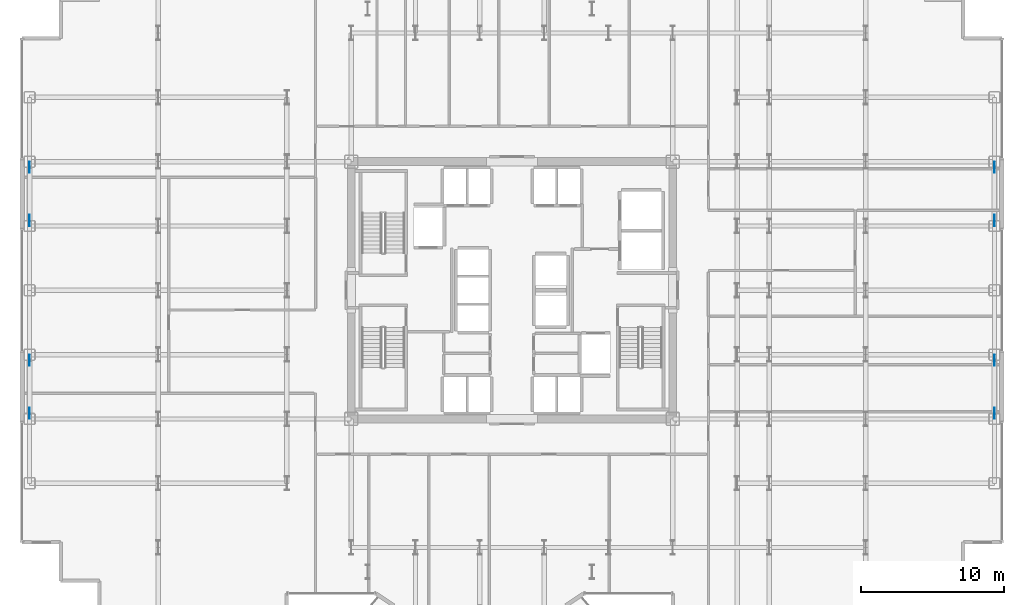
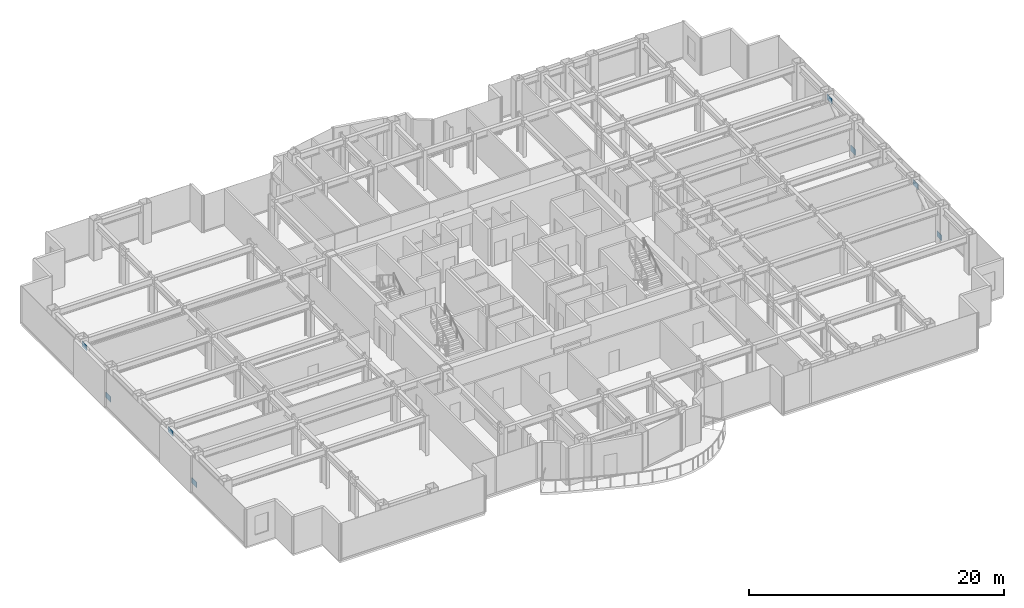
# One storey, part 21 of 29: 8 plates.
"""IFC4 building model written with IfcOpenShell, lengths in metres."""

from ifc_helpers import new_model, si_unit, direction, frame, origin, origin_2d, place, context, subcontext, project, spatial, rectangle, extrude, source, transform, mapped, material, layer, layer_set, type_object, element, save


model = new_model("IFC4")

# Units and contexts
model_context = context("Model", 3, precision=1e-05, world=origin(), true_north=direction((0.0, 1.0)))
body_context = subcontext(model_context, "Body", "Model", "MODEL_VIEW")
ifc_project = project(units=[si_unit("LENGTHUNIT", "METRE"), si_unit("AREAUNIT", "SQUARE_METRE"), si_unit("VOLUMEUNIT", "CUBIC_METRE"), si_unit("PLANEANGLEUNIT", "RADIAN"), si_unit("MASSUNIT", "GRAM", prefix="KILO")], contexts=[model_context])

# Site, building, storey
site_placement = place(None, origin())
site = spatial("IfcSite", under=ifc_project, at=site_placement, CompositionType="ELEMENT")
building_placement = place(site_placement, origin())
building = spatial("IfcBuilding", under=site, at=building_placement, Name="Nefas-Gora Pilgrimage Tower", CompositionType="ELEMENT")
storey_placement = place(building_placement, frame((0.0, 0.0, 136.39990234375)))
storey = spatial("IfcBuildingStorey", under=building, at=storey_placement, Name="L33", CompositionType="ELEMENT", Elevation=136.39990234375)

# Plates
ifc_material = material(Name="Steel S460", Category="steel")
ifc_layer = layer(ifc_material, 0.048095703125)
ifc_layer_set = layer_set([ifc_layer], Name="Steel S460")
plate_type = type_object("IfcPlateType", Name="PLT-NODE-N07", PredefinedType="USERDEFINED", material=ifc_layer_set)
shared_shape = source(origin(), body_context, "Body", "SweptSolid", [
    extrude(rectangle(XDim=0.780029296875, YDim=0.0380859375, at=origin_2d()), origin(), (0.0, 0.0, 1.0), 0.5400390625),
])
for number, where, z_axis, x_axis, name in (
    (1, (-33.75, -8.612060546875, 0.15771484375), (0.0, 0.0, 1.0), (0.0, 1.0, 0.0), "Structural Node Gusset Plate N07 (L33)"),
    (2, (-33.75, -4.887939453125, 2.822509765625), (0.0, 0.0, 1.0), (0.0, 1.0, 0.0), "Structural Node Gusset Plate N07 (L33)"),
    (3, (-33.75, 4.887939453125, 0.15771484375), (0.0, 0.0, 1.0), (0.0, 1.0, 0.0), "Structural Node Gusset Plate N07 (L33)"),
    (4, (-33.75, 8.612060546875, 2.822509765625), (0.0, 0.0, 1.0), (0.0, 1.0, 0.0), "Structural Node Gusset Plate N07 (L33)"),
    (5, (33.75, -8.612060546875, 0.15771484375), (0.0, 0.0, 1.0), (0.0, 1.0, 0.0), "Structural Node Gusset Plate N07 (L33)"),
    (6, (33.75, -4.887939453125, 2.822509765625), (0.0, 0.0, 1.0), (0.0, 1.0, 0.0), "Structural Node Gusset Plate N07 (L33)"),
    (7, (33.75, 4.887939453125, 0.15771484375), (0.0, 0.0, 1.0), (0.0, 1.0, 0.0), "Structural Node Gusset Plate N07 (L33)"),
    (8, (33.75, 8.612060546875, 2.822509765625), (0.0, 0.0, 1.0), (0.0, 1.0, 0.0), "Structural Node Gusset Plate N07 (L33)"),
):
    element("IfcPlate", number, at=place(storey_placement, frame(where, z_axis=z_axis, x_axis=x_axis)), inside=storey, type_object=plate_type, Name=name, ObjectType="GUSSET_PLATE", PredefinedType="USERDEFINED", context=body_context, shape_type="MappedRepresentation", body=[
        mapped(shared_shape, transform((0.0, 0.0, 0.0), x_axis=(1.0, 0.0, 0.0), y_axis=(0.0, 1.0, 0.0), z_axis=(0.0, 0.0, 1.0), scale=1.0)),
    ])

save(model, "model.ifc")
